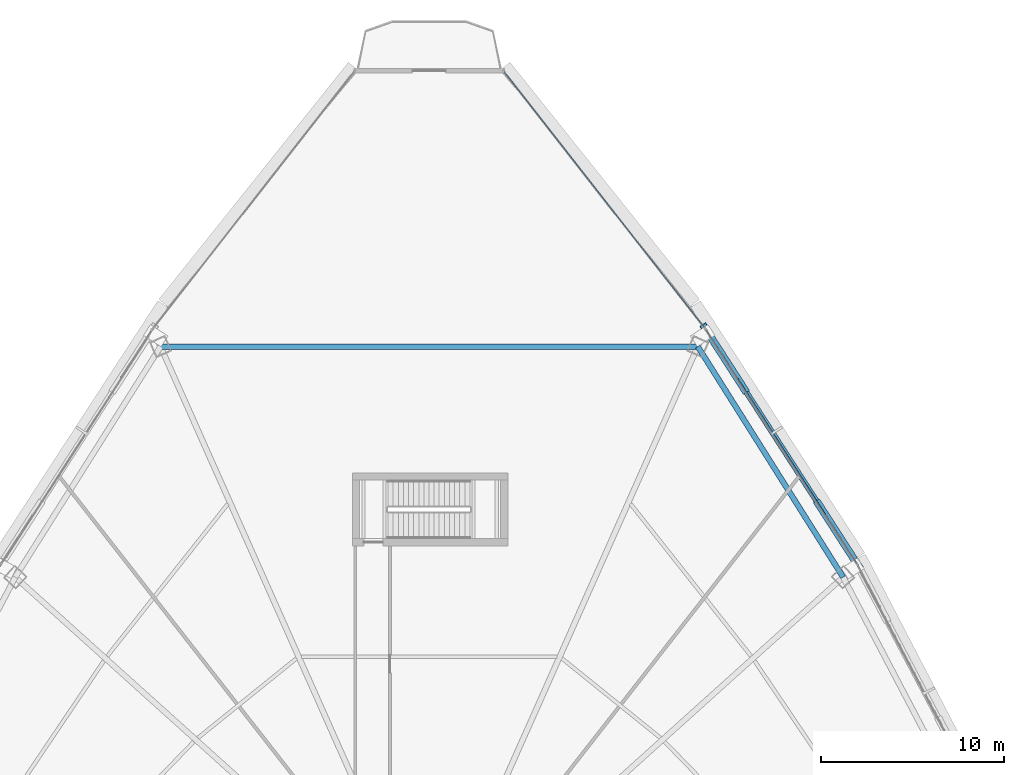
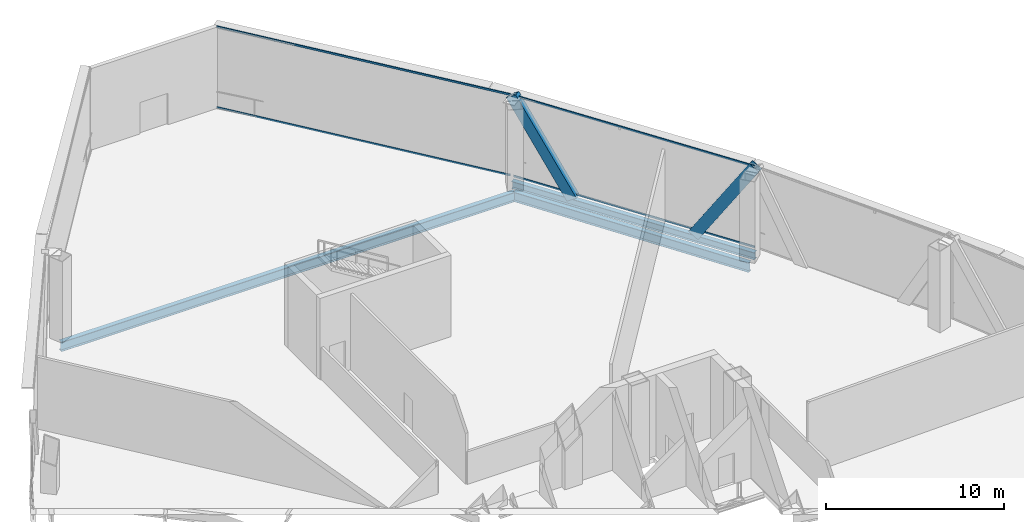
# One storey, part 21 of 38: 6 members, 3 beams, 2 elements without a shape of their own.
"""IFC4 building model written with IfcOpenShell, lengths in metres."""

from ifc_helpers import new_model, si_unit, direction, frame, origin, origin_2d, place, context, subcontext, project, spatial, hollow_rectangle, i_section, extrude, source, transform, mapped, material, layer, layer_set, material_profile, profile_set, type_object, element, aggregate, save


model = new_model("IFC4")

# Units and contexts
model_context = context("Model", 3, precision=1e-05, world=origin(), true_north=direction((0.0, 1.0)))
body_context = subcontext(model_context, "Body", "Model", "MODEL_VIEW")
ifc_project = project(units=[si_unit("LENGTHUNIT", "METRE"), si_unit("AREAUNIT", "SQUARE_METRE"), si_unit("VOLUMEUNIT", "CUBIC_METRE"), si_unit("PLANEANGLEUNIT", "RADIAN"), si_unit("MASSUNIT", "GRAM", prefix="KILO"), si_unit("THERMODYNAMICTEMPERATUREUNIT", "KELVIN"), si_unit("POWERUNIT", "WATT")], contexts=[model_context])

# Site, building, storey
site_placement = place(None, origin())
site = spatial("IfcSite", under=ifc_project, at=site_placement, CompositionType="ELEMENT")
building_placement = place(site_placement, origin())
building = spatial("IfcBuilding", under=site, at=building_placement, Name="Yunzhuo Pagoda Commons", CompositionType="ELEMENT")
storey_placement = place(building_placement, frame((0.0, 0.0, 218.9599609375)))
storey = spatial("IfcBuildingStorey", under=building, at=storey_placement, Name="L55", CompositionType="ELEMENT", Elevation=218.9599609375)

# Beams
ifc_material_1 = material(Name="Structural steel Q355B", Category="steel")
ifc_material_profile_1 = material_profile(ifc_material_1, i_section(OverallWidth=0.300048828125, OverallDepth=0.64990234375, WebThickness=0.012939453125, FlangeThickness=0.02197265625, at=origin_2d()), Name="Structural steel Q355B")
ifc_profile_set_1 = profile_set([ifc_material_profile_1], Name="Structural steel Q355B")
beam_type_1 = type_object("IfcBeamType", Name="B-RG2 Beam HN 650x300x13x22", PredefinedType="BEAM", material=ifc_profile_set_1)
shared_shape_1 = source(origin(), body_context, "Body", "SweptSolid", [
    extrude(i_section(OverallWidth=0.300048828125, OverallDepth=0.64990234375, WebThickness=0.012939453125, FlangeThickness=0.02197265625, at=origin_2d()), origin(), (0.0, 0.0, 1.0), 14.916015625),
])
beam_1_placement = place(storey_placement, frame((70.650634765625, 54.0947265625, -0.604736328125), z_axis=(-0.533092374013, 0.846057043449, 0.0), x_axis=(-0.846057043449, -0.533092374013, 0.0)))
element("IfcBeam", 1, at=beam_1_placement, inside=storey, type_object=beam_type_1, Name="L55 column-ring beam 7", PredefinedType="BEAM", context=body_context, shape_type="MappedRepresentation", body=[
    mapped(shared_shape_1, transform((0.0, 0.0, 0.0), scale=1.0)),
])
shared_shape_2 = source(origin(), body_context, "Body", "SweptSolid", [
    extrude(i_section(OverallWidth=0.300048828125, OverallDepth=0.64990234375, WebThickness=0.012939453125, FlangeThickness=0.02197265625, at=origin_2d()), origin(), (0.0, 0.0, 1.0), 29.39794921875),
])
beam_2_placement = place(storey_placement, frame((62.698974609375, 66.714599609375, -0.604736328125), z_axis=(-1.0, 0.0, 0.0), x_axis=(0.0, -1.0, 0.0)))
element("IfcBeam", 2, at=beam_2_placement, inside=storey, type_object=beam_type_1, Name="L55 column-ring beam 8", PredefinedType="BEAM", context=body_context, shape_type="MappedRepresentation", body=[
    mapped(shared_shape_2, transform((0.0, 0.0, 0.0), scale=1.0)),
])
ifc_material_profile_2 = material_profile(ifc_material_1, i_section(OverallWidth=0.300048828125, OverallDepth=0.488037109375, WebThickness=0.010986328125, FlangeThickness=0.01806640625, at=origin_2d()), Name="Structural steel Q355B")
ifc_profile_set_2 = profile_set([ifc_material_profile_2], Name="Structural steel Q355B")
beam_type_2 = type_object("IfcBeamType", Name="B-SP1 Beam HM 488x300x11x18", PredefinedType="BEAM", material=ifc_profile_set_2)
shared_shape_3 = source(origin(), body_context, "Body", "SweptSolid", [
    extrude(i_section(OverallWidth=0.300048828125, OverallDepth=0.488037109375, WebThickness=0.010986328125, FlangeThickness=0.01806640625, at=origin_2d()), origin(), (0.0, 0.0, 1.0), 15.322265625),
])
beam_3_placement = place(storey_placement, frame((71.430908203125, 54.79736328125, -0.52392578125), z_axis=(-0.542020526887, 0.84036524704, 0.0), x_axis=(-0.84036524704, -0.542020526887, 0.0)))
element("IfcBeam", 3, at=beam_3_placement, inside=storey, type_object=beam_type_2, Name="L55 facade edge spandrel beam F2.3", PredefinedType="BEAM", context=body_context, shape_type="MappedRepresentation", body=[
    mapped(shared_shape_3, transform((0.0, 0.0, 0.0), scale=1.0)),
])

# Members
ifc_material_profile_3 = material_profile(ifc_material_1, hollow_rectangle(XDim=0.39990234375, YDim=0.719970703125, WallThickness=0.02392578125, at=origin_2d()), Name="Structural steel Q355B")
ifc_profile_set_3 = profile_set([ifc_material_profile_3], Name="Structural steel Q355B")
member_type_1 = type_object("IfcMemberType", Name="M-DL2 Brace BOX 720x400x24", PredefinedType="BRACE", material=ifc_profile_set_3)
shared_shape_4 = source(origin(), body_context, "Body", "SweptSolid", [
    extrude(hollow_rectangle(XDim=0.39990234375, YDim=0.719970703125, WallThickness=0.02392578125, at=origin_2d()), origin(), (0.0, 0.0, 1.0), 6.99267578125),
])
for number, where, z_axis, x_axis, name in (
    (4, (69.354736328125, 58.016357421875, -0.280029296875), (0.296911070423, -0.460344833435, 0.8366160712), (0.840367823728, 0.542016531891, 0.0), "L55 facade diamond brace F2.3L"),
    (5, (65.2021484375, 64.45458984375, -0.280029296875), (-0.296911070423, 0.460344833435, 0.8366160712), (-0.840367823728, -0.542016531891, 0.0), "L55 facade diamond brace F2.3R"),
):
    element("IfcMember", number, at=place(storey_placement, frame(where, z_axis=z_axis, x_axis=x_axis)), inside=storey, type_object=member_type_1, Name=name, PredefinedType="BRACE", context=body_context, shape_type="MappedRepresentation", body=[
        mapped(shared_shape_4, transform((0.0, 0.0, 0.0), scale=1.0)),
    ])

# Curtain wall, members
ifc_material_2 = material(Name="Anodized aluminium 6063-T6", Category="aluminium")
ifc_layer = layer(ifc_material_2, 0.14990234375)
ifc_layer_set = layer_set([ifc_layer], Name="Anodized aluminium 6063-T6")
curtain_wall_type = type_object("IfcCurtainWallType", Name="CW-MID Mid-Zone Ribbon Curtain Wall", PredefinedType="NOTDEFINED", material=ifc_layer_set)
curtain_wall_1_placement = place(storey_placement, origin())
curtain_wall_1 = element("IfcCurtainWall", 6, at=curtain_wall_1_placement, inside=storey, type_object=curtain_wall_type, Name="L55 curtain wall CW-L55-F2B4", PredefinedType="NOTDEFINED")
ifc_material_profile_4 = material_profile(ifc_material_2, hollow_rectangle(XDim=0.054931640625, YDim=0.1298828125, WallThickness=0.00341796875, at=origin_2d()), Name="Anodized aluminium 6063-T6")
ifc_profile_set_4 = profile_set([ifc_material_profile_4], Name="Anodized aluminium 6063-T6")
member_type_2 = type_object("IfcMemberType", Name="CW-MID-T Transom RHS 130x55x3.5", PredefinedType="USERDEFINED", material=ifc_profile_set_4)
shared_shape_5 = source(origin(), body_context, "Body", "SweptSolid", [
    extrude(hollow_rectangle(XDim=0.054931640625, YDim=0.1298828125, WallThickness=0.00341796875, at=origin_2d()), origin(), (0.0, 0.0, 1.0), 15.20263671875),
])
member_1_placement = place(storey_placement, frame((71.398681640625, 54.84765625, 0.027587890625), z_axis=(-0.542028835628, 0.840359887993, 0.0), x_axis=(-0.840359887993, -0.542028835628, 0.0)))
member_1 = element("IfcMember", 7, at=member_1_placement, type_object=member_type_2, Name="CW transom 1.1", ObjectType="TRANSOM", PredefinedType="USERDEFINED", context=body_context, shape_type="MappedRepresentation", body=[
    mapped(shared_shape_5, transform((0.0, 0.0, 0.0), scale=1.0)),
])
member_2_placement = place(storey_placement, frame((71.398681640625, 54.84765625, 5.54248046875), z_axis=(-0.542028835628, 0.840359887993, 0.0), x_axis=(-0.840359887993, -0.542028835628, 0.0)))
member_2 = element("IfcMember", 8, at=member_2_placement, type_object=member_type_2, Name="CW transom 1.2", ObjectType="TRANSOM", PredefinedType="USERDEFINED", context=body_context, shape_type="MappedRepresentation", body=[
    mapped(shared_shape_5, transform((0.0, 0.0, 0.0), scale=1.0)),
])
aggregate(curtain_wall_1, [member_1, member_2])

curtain_wall_2_placement = place(storey_placement, origin())
curtain_wall_2 = element("IfcCurtainWall", 9, at=curtain_wall_2_placement, inside=storey, type_object=curtain_wall_type, Name="L55 curtain wall CW-L55-F2B5", PredefinedType="NOTDEFINED")
shared_shape_6 = source(origin(), body_context, "Body", "SweptSolid", [
    extrude(hollow_rectangle(XDim=0.054931640625, YDim=0.1298828125, WallThickness=0.00341796875, at=origin_2d()), origin(), (0.0, 0.0, 1.0), 17.750732421875),
])
member_3_placement = place(storey_placement, frame((63.042724609375, 67.780029296875, 0.027587890625), z_axis=(-0.616456962116, 0.787388604095, 0.0), x_axis=(-0.787388604095, -0.616456962116, 0.0)))
member_3 = element("IfcMember", 10, at=member_3_placement, type_object=member_type_2, Name="CW transom 1.1", ObjectType="TRANSOM", PredefinedType="USERDEFINED", context=body_context, shape_type="MappedRepresentation", body=[
    mapped(shared_shape_6, transform((0.0, 0.0, 0.0), scale=1.0)),
])
member_4_placement = place(storey_placement, frame((63.042724609375, 67.780029296875, 5.54248046875), z_axis=(-0.616456962116, 0.787388604095, 0.0), x_axis=(-0.787388604095, -0.616456962116, 0.0)))
member_4 = element("IfcMember", 11, at=member_4_placement, type_object=member_type_2, Name="CW transom 1.2", ObjectType="TRANSOM", PredefinedType="USERDEFINED", context=body_context, shape_type="MappedRepresentation", body=[
    mapped(shared_shape_6, transform((0.0, 0.0, 0.0), scale=1.0)),
])
aggregate(curtain_wall_2, [member_3, member_4])

save(model, "model.ifc")
